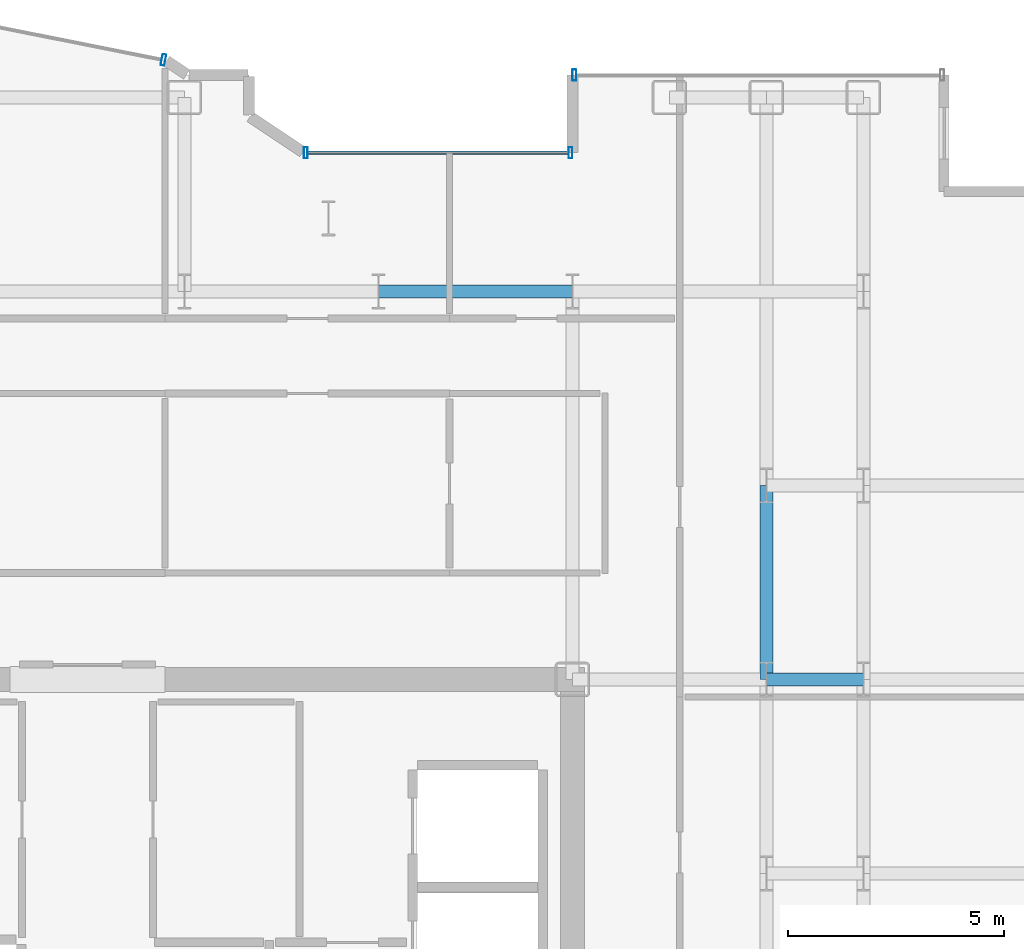
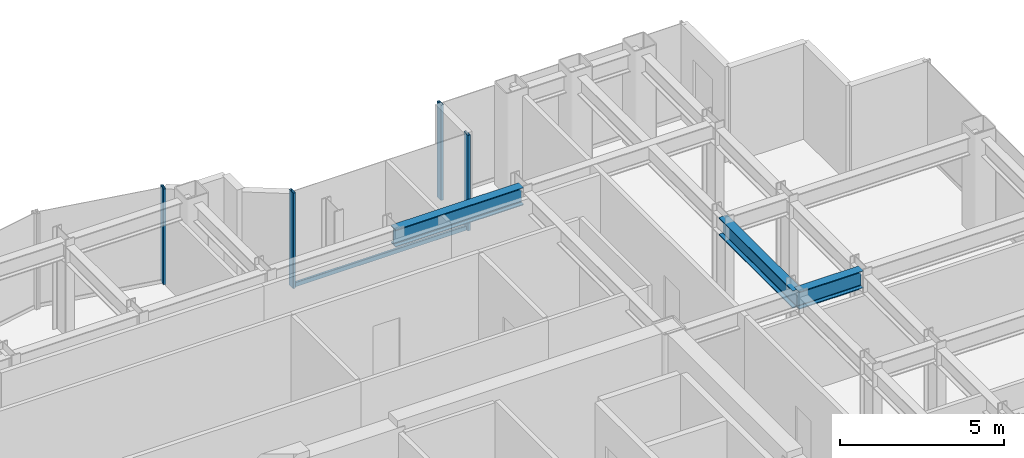
# One storey, part 13 of 23: 5 members, 3 beams, 3 elements without a shape of their own.
"""IFC4 building model written with IfcOpenShell, lengths in metres."""

from ifc_helpers import new_model, si_unit, direction, frame, origin, origin_2d, place, context, subcontext, project, spatial, hollow_rectangle, i_section, extrude, source, transform, mapped, material, layer, layer_set, material_profile, profile_set, type_object, element, aggregate, save


model = new_model("IFC4")

# Units and contexts
model_context = context("Model", 3, precision=1e-05, world=origin(), true_north=direction((0.0, 1.0)))
body_context = subcontext(model_context, "Body", "Model", "MODEL_VIEW")
ifc_project = project(units=[si_unit("LENGTHUNIT", "METRE"), si_unit("AREAUNIT", "SQUARE_METRE"), si_unit("VOLUMEUNIT", "CUBIC_METRE"), si_unit("PLANEANGLEUNIT", "RADIAN"), si_unit("MASSUNIT", "GRAM", prefix="KILO")], contexts=[model_context])

# Site, building, storey
site_placement = place(None, origin())
site = spatial("IfcSite", under=ifc_project, at=site_placement, CompositionType="ELEMENT")
building_placement = place(site_placement, origin())
building = spatial("IfcBuilding", under=site, at=building_placement, Name="Nefas-Gora Pilgrimage Tower", CompositionType="ELEMENT")
storey_placement = place(building_placement, frame((0.0, 0.0, 190.60009765625)))
storey = spatial("IfcBuildingStorey", under=building, at=storey_placement, Name="L47", CompositionType="ELEMENT", Elevation=190.60009765625)

# Beams
ifc_material_1 = material(Name="Steel S355", Category="steel")
ifc_material_profile_1 = material_profile(ifc_material_1, i_section(OverallWidth=0.300048828125, OverallDepth=0.64990234375, WebThickness=0.01611328125, FlangeThickness=0.031005859375, FilletRadius=0.027099609375, at=origin_2d()), Name="HEB 650")
ifc_profile_set_1 = profile_set([ifc_material_profile_1], Name="Steel S355")
beam_type = type_object("IfcBeamType", Name="BM-GIR-HEB650", PredefinedType="BEAM", material=ifc_profile_set_1)
shared_shape_1 = source(origin(), body_context, "Body", "SweptSolid", [
    extrude(i_section(OverallWidth=0.300048828125, OverallDepth=0.64990234375, WebThickness=0.01611328125, FlangeThickness=0.031005859375, FilletRadius=0.027099609375, at=origin_2d()), origin(), (0.0, 0.0, 1.0), 4.5),
])
for number, where, z_axis, x_axis, name in (
    (1, (6.75, 18.0, 3.224853515625), (1.0, 0.0, 0.0), (0.0, 1.0, 0.0), "L47 G-03 beam"),
    (2, (15.75, 9.0, 3.224853515625), (0.0, 1.0, 0.0), (-1.0, 0.0, 0.0), "L47 G-03 beam"),
):
    element("IfcBeam", number, at=place(storey_placement, frame(where, z_axis=z_axis, x_axis=x_axis)), inside=storey, type_object=beam_type, Name=name, PredefinedType="BEAM", context=body_context, shape_type="MappedRepresentation", body=[
        mapped(shared_shape_1, transform((0.0, 0.0, 0.0), x_axis=(1.0, 0.0, 0.0), y_axis=(0.0, 1.0, 0.0), z_axis=(0.0, 0.0, 1.0), scale=1.0)),
    ])
shared_shape_2 = source(origin(), body_context, "Body", "SweptSolid", [
    extrude(i_section(OverallWidth=0.300048828125, OverallDepth=0.64990234375, WebThickness=0.01611328125, FlangeThickness=0.031005859375, FilletRadius=0.027099609375, at=origin_2d()), origin(), (0.0, 0.0, 1.0), 2.25),
])
beam_placement = place(storey_placement, frame((15.75, 9.0, 3.224853515625), z_axis=(1.0, 0.0, 0.0), x_axis=(0.0, 1.0, 0.0)))
element("IfcBeam", 3, at=beam_placement, inside=storey, type_object=beam_type, Name="L47 G-03 beam", PredefinedType="BEAM", context=body_context, shape_type="MappedRepresentation", body=[
    mapped(shared_shape_2, transform((0.0, 0.0, 0.0), x_axis=(1.0, 0.0, 0.0), y_axis=(0.0, 1.0, 0.0), z_axis=(0.0, 0.0, 1.0), scale=1.0)),
])

# Curtain wall, members
ifc_material_2 = material(Name="Dark ceramic-fritted solar-control aluminium-glass curtain wall", Category="aluminium")
ifc_layer_1 = layer(ifc_material_2, 0.219970703125)
ifc_layer_set_1 = layer_set([ifc_layer_1], Name="Dark ceramic-fritted solar-control aluminium-glass curtain wall")
curtain_wall_type_1 = type_object("IfcCurtainWallType", Name="CW-SYS-5", PredefinedType="NOTDEFINED", material=ifc_layer_set_1)
curtain_wall_1_placement = place(storey_placement, origin())
curtain_wall_1 = element("IfcCurtainWall", 4, at=curtain_wall_1_placement, inside=storey, type_object=curtain_wall_type_1, Name="L47 Unitised Curtain Wall CW5", PredefinedType="NOTDEFINED")
ifc_material_3 = material(Name="Anodised architectural aluminium", Category="aluminium")
ifc_material_profile_2 = material_profile(ifc_material_3, hollow_rectangle(XDim=0.080078125, YDim=0.159912109375, WallThickness=0.00439453125, InnerFilletRadius=0.00439453125, OuterFilletRadius=0.009033203125, at=origin_2d()), Name="ALU TRANSOM 80x160")
ifc_profile_set_2 = profile_set([ifc_material_profile_2], Name="Anodised architectural aluminium")
member_type_1 = type_object("IfcMemberType", Name="CWM-TRN-5", PredefinedType="USERDEFINED", material=ifc_profile_set_2)
shared_shape_3 = source(origin(), body_context, "Body", "SweptSolid", [
    extrude(hollow_rectangle(XDim=0.080078125, YDim=0.159912109375, WallThickness=0.00439453125, InnerFilletRadius=0.00439453125, OuterFilletRadius=0.009033203125, at=origin_2d()), origin(), (0.0, 0.0, 1.0), 6.052001953125),
])
member_1_placement = place(storey_placement, frame((11.159912109375, 21.219970703125, 0.0498046875), z_axis=(-1.0, 0.0, 0.0), x_axis=(0.0, -1.0, 0.0)))
member_1 = element("IfcMember", 5, at=member_1_placement, type_object=member_type_1, Name="CW5 Spandrel Transom", ObjectType="TRANSOM", PredefinedType="USERDEFINED", context=body_context, shape_type="MappedRepresentation", body=[
    mapped(shared_shape_3, transform((0.0, 0.0, 0.0), x_axis=(1.0, 0.0, 0.0), y_axis=(0.0, 1.0, 0.0), z_axis=(0.0, 0.0, 1.0), scale=1.0)),
])
ifc_material_profile_3 = material_profile(ifc_material_3, hollow_rectangle(XDim=0.090087890625, YDim=0.260009765625, WallThickness=0.006103515625, InnerFilletRadius=0.006103515625, OuterFilletRadius=0.011962890625, at=origin_2d()), Name="ALU MULLION 90x260")
ifc_profile_set_3 = profile_set([ifc_material_profile_3], Name="Anodised architectural aluminium")
member_type_2 = type_object("IfcMemberType", Name="CWM-MUL-5", PredefinedType="MULLION", material=ifc_profile_set_3)
shared_shape_4 = source(origin(), body_context, "Body", "SweptSolid", [
    extrude(hollow_rectangle(XDim=0.090087890625, YDim=0.260009765625, WallThickness=0.006103515625, InnerFilletRadius=0.006103515625, OuterFilletRadius=0.011962890625, at=origin_2d()), origin(), (0.0, 0.0, 1.0), 3.5498046875),
])
member_2_placement = place(storey_placement, frame((11.205078125, 21.219970703125, 0.0), z_axis=(0.0, 0.0, 1.0), x_axis=(-1.0, 0.0, 0.0)))
member_2 = element("IfcMember", 6, at=member_2_placement, type_object=member_type_2, Name="CW5 Mullion 1", PredefinedType="MULLION", context=body_context, shape_type="MappedRepresentation", body=[
    mapped(shared_shape_4, transform((0.0, 0.0, 0.0), x_axis=(1.0, 0.0, 0.0), y_axis=(0.0, 1.0, 0.0), z_axis=(0.0, 0.0, 1.0), scale=1.0)),
])
member_3_placement = place(storey_placement, frame((5.06298828125, 21.219970703125, 0.0), z_axis=(0.0, 0.0, 1.0), x_axis=(-1.0, 0.0, 0.0)))
member_3 = element("IfcMember", 7, at=member_3_placement, type_object=member_type_2, Name="CW5 Mullion 2", PredefinedType="MULLION", context=body_context, shape_type="MappedRepresentation", body=[
    mapped(shared_shape_4, transform((0.0, 0.0, 0.0), x_axis=(1.0, 0.0, 0.0), y_axis=(0.0, 1.0, 0.0), z_axis=(0.0, 0.0, 1.0), scale=1.0)),
])
aggregate(curtain_wall_1, [member_2, member_3, member_1])

# Curtain wall, member
curtain_wall_2_placement = place(storey_placement, origin())
curtain_wall_2 = element("IfcCurtainWall", 8, at=curtain_wall_2_placement, inside=storey, type_object=curtain_wall_type_1, Name="L47 Unitised Curtain Wall CW5", PredefinedType="NOTDEFINED")
member_4_placement = place(storey_placement, frame((1.76318359375, 23.3740234375, 0.0), z_axis=(0.0, 0.0, 1.0), x_axis=(-0.980782896852, 0.195102304554, 0.0)))
member_4 = element("IfcMember", 9, at=member_4_placement, type_object=member_type_2, Name="CW5 Mullion 1", PredefinedType="MULLION", context=body_context, shape_type="MappedRepresentation", body=[
    mapped(shared_shape_4, transform((0.0, 0.0, 0.0), x_axis=(1.0, 0.0, 0.0), y_axis=(0.0, 1.0, 0.0), z_axis=(0.0, 0.0, 1.0), scale=1.0)),
])
aggregate(curtain_wall_2, [member_4])

ifc_layer_2 = layer(ifc_material_2, 0.219970703125)
ifc_layer_set_2 = layer_set([ifc_layer_2], Name="Dark ceramic-fritted solar-control aluminium-glass curtain wall")
curtain_wall_type_2 = type_object("IfcCurtainWallType", Name="CW-SYS-3", PredefinedType="NOTDEFINED", material=ifc_layer_set_2)
curtain_wall_3_placement = place(storey_placement, origin())
curtain_wall_3 = element("IfcCurtainWall", 10, at=curtain_wall_3_placement, inside=storey, type_object=curtain_wall_type_2, Name="L47 Unitised Curtain Wall CW3", PredefinedType="NOTDEFINED")
ifc_material_profile_4 = material_profile(ifc_material_3, hollow_rectangle(XDim=0.090087890625, YDim=0.260009765625, WallThickness=0.006103515625, InnerFilletRadius=0.006103515625, OuterFilletRadius=0.011962890625, at=origin_2d()), Name="ALU MULLION 90x260")
ifc_profile_set_4 = profile_set([ifc_material_profile_4], Name="Anodised architectural aluminium")
member_type_3 = type_object("IfcMemberType", Name="CWM-MUL-3", PredefinedType="MULLION", material=ifc_profile_set_4)
shared_shape_5 = source(origin(), body_context, "Body", "SweptSolid", [
    extrude(hollow_rectangle(XDim=0.090087890625, YDim=0.260009765625, WallThickness=0.006103515625, InnerFilletRadius=0.006103515625, OuterFilletRadius=0.011962890625, at=origin_2d()), origin(), (0.0, 0.0, 1.0), 3.5498046875),
])
member_5_placement = place(storey_placement, frame((11.294921875, 23.02001953125, 0.0), z_axis=(0.0, 0.0, 1.0), x_axis=(-1.0, 0.0, 0.0)))
member_5 = element("IfcMember", 11, at=member_5_placement, type_object=member_type_3, Name="CW3 Mullion 2", PredefinedType="MULLION", context=body_context, shape_type="MappedRepresentation", body=[
    mapped(shared_shape_5, transform((0.0, 0.0, 0.0), x_axis=(1.0, 0.0, 0.0), y_axis=(0.0, 1.0, 0.0), z_axis=(0.0, 0.0, 1.0), scale=1.0)),
])
aggregate(curtain_wall_3, [member_5])

save(model, "model.ifc")
